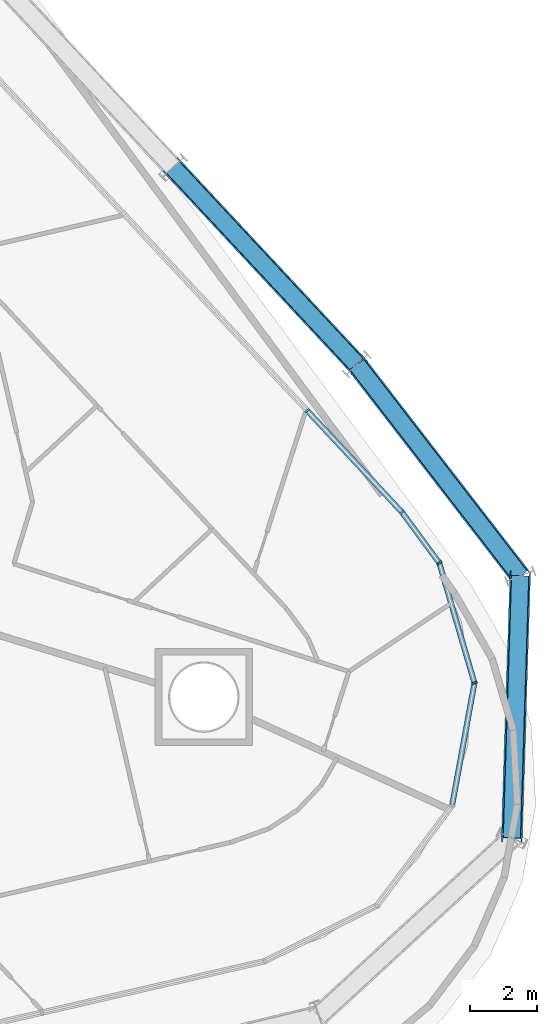
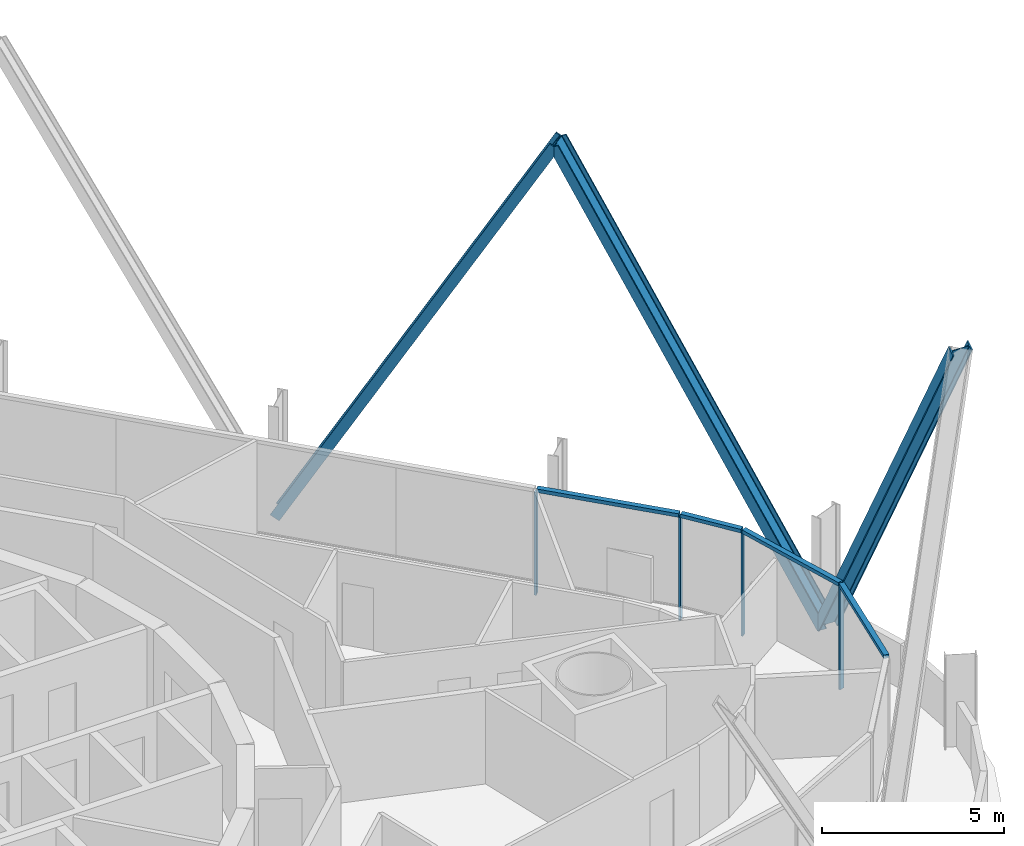
# One storey, part 7 of 18: 11 members, 2 elements without a shape of their own.
"""IFC4 building model written with IfcOpenShell, lengths in metres."""

import ifcopenshell
import ifcopenshell.guid

model = None  # the IFC model being written
_history = None  # IfcOwnerHistory: only IFC2X3 demands one
_inside = {}  # id of a spatial element -> (the spatial element, [elements in it])
_under = {}  # id of a project, library or spatial element -> (it, [spatial elements below it])
_declared = {}  # id of a project -> (the project, [libraries it declares])
_typed = {}  # id of a type object -> (the type object, [elements of that type])
_made_of = {}  # id of a material, layer set ... -> (it, [elements and type objects made of it])


def new_model(schema):
    """Start an empty IFC model of exactly this schema.

    Asked for "IFC4X3", IfcOpenShell would pick the latest addendum, in which some entities
    have other attributes; the version numbers below select the first issue.
    IFC2X3 requires an IfcOwnerHistory on every rooted entity: one is made here for all.
    """
    global model, _history
    if schema == "IFC4X3":
        model = ifcopenshell.file(schema_version=(4, 3, 0, 0))
    else:
        model = ifcopenshell.file(schema=schema)
    _inside.clear()
    _under.clear()
    _declared.clear()
    _typed.clear()
    _made_of.clear()
    _history = None
    if model.schema == "IFC2X3":
        org = make("IfcOrganization", Name="unknown")
        user = make(
            "IfcPersonAndOrganization",
            ThePerson=make("IfcPerson", FamilyName="unknown"),
            TheOrganization=org,
        )
        app = make(
            "IfcApplication",
            ApplicationDeveloper=org,
            Version="unknown",
            ApplicationFullName="unknown",
            ApplicationIdentifier="unknown",
        )
        _history = make(
            "IfcOwnerHistory",
            OwningUser=user,
            OwningApplication=app,
            ChangeAction="ADDED",
            CreationDate=0,
        )
    return model


def make(cls, **values):
    """One entity of the class cls with the attributes given. An attribute that is None is left unset."""
    return model.create_entity(
        cls, **{name: value for name, value in values.items() if value is not None}
    )


def rooted(cls, **values):
    """An entity with a GlobalId (a new one), such as an element, a storey or a relation."""
    return make(cls, GlobalId=ifcopenshell.guid.new(), OwnerHistory=_history, **values)


def si_unit(unit_type, name, prefix=None):
    """IfcSIUnit, for example si_unit("LENGTHUNIT", "METRE", prefix="MILLI")."""
    return make("IfcSIUnit", UnitType=unit_type, Prefix=prefix, Name=name)


def assignment(units):
    """IfcUnitAssignment: the units of a project."""
    return None if units is None else make("IfcUnitAssignment", Units=units)


def point(xyz):
    """IfcCartesianPoint."""
    return None if xyz is None else make("IfcCartesianPoint", Coordinates=xyz)


def direction(xyz):
    """IfcDirection."""
    return None if xyz is None else make("IfcDirection", DirectionRatios=xyz)


def frame(location, z_axis=None, x_axis=None):
    """IfcAxis2Placement3D, a coordinate frame: its origin and axes. An axis left out is left unset."""
    return make(
        "IfcAxis2Placement3D",
        Location=point(location),
        Axis=direction(z_axis),
        RefDirection=direction(x_axis),
    )


def frame_2d(location, x_axis=None):
    """IfcAxis2Placement2D, a coordinate frame in the plane: its origin and x axis."""
    return make(
        "IfcAxis2Placement2D", Location=point(location), RefDirection=direction(x_axis)
    )


def origin():
    """The frame at (0, 0, 0) with its axes left unset."""
    return frame((0.0, 0.0, 0.0))


def origin_2d():
    """The frame at (0, 0) in the plane with its x axis left unset."""
    return frame_2d((0.0, 0.0))


def place(relative_to, where):
    """IfcLocalPlacement: puts the frame where relative to a parent placement (None: the world)."""
    return make(
        "IfcLocalPlacement", PlacementRelTo=relative_to, RelativePlacement=where
    )


def context(
    kind, dimensions, precision=None, world=None, true_north=None, identifier=None
):
    """IfcGeometricRepresentationContext, for example the 3D "Model" context."""
    return make(
        "IfcGeometricRepresentationContext",
        ContextIdentifier=identifier,
        ContextType=kind,
        CoordinateSpaceDimension=dimensions,
        Precision=precision,
        WorldCoordinateSystem=world,
        TrueNorth=true_north,
    )


def subcontext(parent, identifier, kind, view, scale=None):
    """IfcGeometricRepresentationSubContext, for example "Body" below "Model"."""
    return make(
        "IfcGeometricRepresentationSubContext",
        ContextIdentifier=identifier,
        ContextType=kind,
        ParentContext=parent,
        TargetScale=scale,
        TargetView=view,
    )


def project(units=None, contexts=None):
    """IfcProject with its units and contexts."""
    return rooted(
        "IfcProject",
        Name="project",
        RepresentationContexts=contexts,
        UnitsInContext=assignment(units),
    )


def spatial(cls, under=None, at=None, **own):
    """A site, building, storey or space (cls), placed at a placement, below another one or the project."""
    s = rooted(cls, ObjectPlacement=at, **own)
    if under is not None:
        _under.setdefault(under.id(), (under, []))[1].append(s)
    return s


def profile(cls, at=None, kind="AREA", **sizes):
    """A parametric profile (cls). Its sizes go by their IFC names, for example OverallWidth=200.0."""
    return make(cls, ProfileType=kind, Position=at, **sizes)


def rectangle(**sizes):
    """IfcRectangleProfileDef."""
    return profile("IfcRectangleProfileDef", **sizes)


def i_section(**sizes):
    """IfcIShapeProfileDef."""
    return profile("IfcIShapeProfileDef", **sizes)


def extrude(swept, where, along, depth):
    """IfcExtrudedAreaSolid: the profile swept, set in the frame where, extruded along a direction by depth."""
    return make(
        "IfcExtrudedAreaSolid",
        SweptArea=swept,
        Position=where,
        ExtrudedDirection=direction(along),
        Depth=depth,
    )


def shape(context_of_items, identifier, shape_type, items):
    """IfcShapeRepresentation: the items that make up one representation, for example the "Body"."""
    return make(
        "IfcShapeRepresentation",
        ContextOfItems=context_of_items,
        RepresentationIdentifier=identifier,
        RepresentationType=shape_type,
        Items=items,
    )


def material(Name=None, Category=None):
    """IfcMaterial."""
    return make("IfcMaterial", Name=Name, Category=Category)


def layer(
    of_material, thickness, ventilated=None, Name=None, Category=None, Priority=None
):
    """IfcMaterialLayer: one layer of a wall or slab, of a material (None: an air gap)."""
    return make(
        "IfcMaterialLayer",
        Material=of_material,
        LayerThickness=thickness,
        IsVentilated=ventilated,
        Name=Name,
        Category=Category,
        Priority=Priority,
    )


def layer_set(layers, Name=None):
    """IfcMaterialLayerSet."""
    return make("IfcMaterialLayerSet", MaterialLayers=layers, LayerSetName=Name)


def material_profile(
    of_material, cross_section, Name=None, Category=None, Priority=None
):
    """IfcMaterialProfile: a cross section and its material."""
    return make(
        "IfcMaterialProfile",
        Name=Name,
        Material=of_material,
        Profile=cross_section,
        Priority=Priority,
        Category=Category,
    )


def profile_set(profiles, Name=None, composite=None):
    """IfcMaterialProfileSet."""
    return make(
        "IfcMaterialProfileSet",
        Name=Name,
        MaterialProfiles=profiles,
        CompositeProfile=composite,
    )


def made_of(thing, what):
    """Note that an element or type object is made of a material, layer set ...; save() writes the relation."""
    if what is not None:
        _made_of.setdefault(what.id(), (what, []))[1].append(thing)
    return thing


def type_object(cls, material=None, **own):
    """A type object (cls), such as IfcWallType, which elements share."""
    return made_of(rooted(cls, **own), material)


def element(
    cls,
    number,
    at=None,
    inside=None,
    cuts=None,
    type_object=None,
    material=None,
    context=None,
    identifier="Body",
    shape_type=None,
    held_by="IfcProductDefinitionShape",
    body=None,
    shapes=None,
    **own,
):
    """One element of the class cls, such as IfcWall. Its Tag is "e" and its number.

    at: its placement. inside: the storey or other place that contains it. cuts: it is an
    opening in that element (IfcRelVoidsElement). A single representation is given by context,
    identifier, shape_type and body (its items); several are given by shapes. held_by: the class
    of the entity that holds the representations. save() writes the other relations.
    """
    e = rooted(cls, Tag="e%d" % number, ObjectPlacement=at, **own)
    if body is not None:
        shapes = [shape(context, identifier, shape_type, body)]
    if shapes is not None:
        e.Representation = make(held_by, Representations=shapes)
    if inside is not None:
        _inside.setdefault(inside.id(), (inside, []))[1].append(e)
    if cuts is not None:
        rooted(
            "IfcRelVoidsElement", RelatingBuildingElement=cuts, RelatedOpeningElement=e
        )
    if type_object is not None:
        _typed.setdefault(type_object.id(), (type_object, []))[1].append(e)
    return made_of(e, material)


def aggregate(whole, parts):
    """IfcRelAggregates: a whole, such as a stair, and the parts it consists of."""
    return rooted("IfcRelAggregates", RelatingObject=whole, RelatedObjects=parts)


def save(model, path):
    """Write the relations noted so far, then the file.

    IfcRelAggregates (storeys below a building ...), IfcRelContainedInSpatialStructure (elements
    in a storey), IfcRelDefinesByType, IfcRelAssociatesMaterial and IfcRelDeclares: one each for
    every whole, place, type object, material and project.
    """
    for whole, parts in _under.values():
        aggregate(whole, parts)
    for where, things in _inside.values():
        rooted(
            "IfcRelContainedInSpatialStructure",
            RelatedElements=things,
            RelatingStructure=where,
        )
    for kind, things in _typed.values():
        rooted("IfcRelDefinesByType", RelatedObjects=things, RelatingType=kind)
    for what, things in _made_of.values():
        rooted("IfcRelAssociatesMaterial", RelatedObjects=things, RelatingMaterial=what)
    for by, libraries in _declared.values():
        rooted("IfcRelDeclares", RelatingContext=by, RelatedDefinitions=libraries)
    model.write(path)


model = new_model("IFC4")

# Units and contexts
model_context = context("Model", 3, precision=1e-05, world=origin(), true_north=direction((0.0, 1.0)))
body_context = subcontext(model_context, "Body", "Model", "MODEL_VIEW")
ifc_project = project(units=[si_unit("LENGTHUNIT", "METRE"), si_unit("AREAUNIT", "SQUARE_METRE"), si_unit("VOLUMEUNIT", "CUBIC_METRE"), si_unit("PLANEANGLEUNIT", "RADIAN"), si_unit("MASSUNIT", "GRAM", prefix="KILO")], contexts=[model_context])

# Site, building, storey
site_placement = place(None, origin())
site = spatial("IfcSite", under=ifc_project, at=site_placement, CompositionType="ELEMENT")
building_placement = place(site_placement, origin())
building = spatial("IfcBuilding", under=site, at=building_placement, Name="Spindle Arch Residences", CompositionType="ELEMENT")
storey_placement = place(building_placement, frame((0.0, 0.0, 113.39990234375)))
storey = spatial("IfcBuildingStorey", under=building, at=storey_placement, Name="L27", CompositionType="ELEMENT", Elevation=113.39990234375)

# Curtain wall, members
ifc_material_1 = material(Name="Aluminium bronze unitised frame with tinted glass", Category="aluminium")
ifc_layer_1 = layer(ifc_material_1, 0.159912109375)
ifc_layer_set_1 = layer_set([ifc_layer_1], Name="CW-D corner wall on the fillet arcs")
curtain_wall_type_1 = type_object("IfcCurtainWallType", Name="CW-D corner wall on the fillet arcs", PredefinedType="NOTDEFINED", material=ifc_layer_set_1)
curtain_wall_1_placement = place(storey_placement, origin())
curtain_wall_1 = element("IfcCurtainWall", 1, at=curtain_wall_1_placement, inside=storey, type_object=curtain_wall_type_1, Name="CW-D L27 run 1", PredefinedType="NOTDEFINED")
ifc_material_2 = material(Name="Aluminium bronze anodised mullion", Category="aluminium")
ifc_material_profile_1 = material_profile(ifc_material_2, rectangle(XDim=0.159912109375, YDim=0.06005859375, at=origin_2d()), Name="MU 60x160")
ifc_profile_set_1 = profile_set([ifc_material_profile_1], Name="Aluminium bronze anodised mullion")
member_type_1 = type_object("IfcMemberType", Name="Bronze mullion 60x160", PredefinedType="MULLION", material=ifc_profile_set_1)
member_1_placement = place(storey_placement, frame((28.89892578125, -5.945556640625, -0.449951171875), z_axis=(0.0, 0.0, 1.0), x_axis=(-0.959641844554, -0.281225052549, 0.0)))
member_1 = element("IfcMember", 2, at=member_1_placement, type_object=member_type_1, Name="CW-D mullion 04", PredefinedType="MULLION", context=body_context, shape_type="SweptSolid", body=[
    extrude(rectangle(XDim=0.159912109375, YDim=0.06005859375, at=origin_2d()), origin(), (0.0, 0.0, 1.0), 3.449951171875),
])
member_2_placement = place(storey_placement, frame((27.850830078125, -2.369140625, -0.449951171875), z_axis=(0.0, 0.0, 1.0), x_axis=(-0.805583724819, -0.592481951039, 0.0)))
member_2 = element("IfcMember", 3, at=member_2_placement, type_object=member_type_1, Name="CW-D mullion 05", PredefinedType="MULLION", context=body_context, shape_type="SweptSolid", body=[
    extrude(rectangle(XDim=0.159912109375, YDim=0.06005859375, at=origin_2d()), origin(), (0.0, 0.0, 1.0), 3.449951171875),
])
member_3_placement = place(storey_placement, frame((26.7392578125, -0.85791015625, -0.449951171875), z_axis=(0.0, 0.0, 1.0), x_axis=(-0.731353701619, -0.681998360062, 0.0)))
member_3 = element("IfcMember", 4, at=member_3_placement, type_object=member_type_1, Name="CW-D mullion 06", PredefinedType="MULLION", context=body_context, shape_type="SweptSolid", body=[
    extrude(rectangle(XDim=0.159912109375, YDim=0.06005859375, at=origin_2d()), origin(), (0.0, 0.0, 1.0), 3.449951171875),
])

# Curtain wall, member
ifc_material_3 = material(Name="Aluminium bronze unitised frame with tinted glass", Category="aluminium")
ifc_layer_2 = layer(ifc_material_3, 0.159912109375)
ifc_layer_set_2 = layer_set([ifc_layer_2], Name="CW-C typical residential unitised wall")
curtain_wall_type_2 = type_object("IfcCurtainWallType", Name="CW-C typical residential unitised wall", PredefinedType="NOTDEFINED", material=ifc_layer_set_2)
curtain_wall_2_placement = place(storey_placement, origin())
curtain_wall_2 = element("IfcCurtainWall", 5, at=curtain_wall_2_placement, inside=storey, type_object=curtain_wall_type_2, Name="CW-C L27 run 2", PredefinedType="NOTDEFINED")
member_4_placement = place(storey_placement, frame((23.91357421875, 2.172607421875, -0.449951171875), z_axis=(0.0, 0.0, 1.0), x_axis=(-0.731353701619, -0.681998360062, 0.0)))
member_4 = element("IfcMember", 6, at=member_4_placement, type_object=member_type_1, Name="CW-C mullion 05", PredefinedType="MULLION", context=body_context, shape_type="SweptSolid", body=[
    extrude(rectangle(XDim=0.159912109375, YDim=0.06005859375, at=origin_2d()), origin(), (0.0, 0.0, 1.0), 3.449951171875),
])
aggregate(curtain_wall_2, [member_4])

# Member
ifc_material_4 = material(Name="Aluminium bronze anodised transom", Category="aluminium")
ifc_material_profile_2 = material_profile(ifc_material_4, rectangle(XDim=0.159912109375, YDim=0.1201171875, at=origin_2d()), Name="TR 120x160")
ifc_profile_set_2 = profile_set([ifc_material_profile_2], Name="Aluminium bronze anodised transom")
member_type_2 = type_object("IfcMemberType", Name="Bronze transom 120x160", PredefinedType="USERDEFINED", material=ifc_profile_set_2)
member_5_placement = place(storey_placement, frame((28.23583984375, -9.582275390625, 3.06005859375), z_axis=(0.179377605594, 0.983780297938, 0.0), x_axis=(-0.983780297938, 0.179377605594, 0.0)))
member_5 = element("IfcMember", 7, at=member_5_placement, type_object=member_type_2, Name="CW-D transom 03", ObjectType="TRANSOM", PredefinedType="USERDEFINED", context=body_context, shape_type="SweptSolid", body=[
    extrude(rectangle(XDim=0.159912109375, YDim=0.1201171875, at=origin_2d()), origin(), (0.0, 0.0, 1.0), 3.666748046875),
])

member_6_placement = place(storey_placement, frame((28.890625, -5.916748046875, 3.06005859375), z_axis=(-0.281239778168, 0.959637529058, 0.0), x_axis=(-0.959637529058, -0.281239778168, 0.0)))
member_6 = element("IfcMember", 8, at=member_6_placement, type_object=member_type_2, Name="CW-D transom 04", ObjectType="TRANSOM", PredefinedType="USERDEFINED", context=body_context, shape_type="SweptSolid", body=[
    extrude(rectangle(XDim=0.159912109375, YDim=0.1201171875, at=origin_2d()), origin(), (0.0, 0.0, 1.0), 3.666748046875),
])

member_7_placement = place(storey_placement, frame((27.833251953125, -2.344970703125, 3.06005859375), z_axis=(-0.592575212526, 0.805515125557, 0.0), x_axis=(-0.805515125557, -0.592575212526, 0.0)))
member_7 = element("IfcMember", 9, at=member_7_placement, type_object=member_type_2, Name="CW-D transom 05", ObjectType="TRANSOM", PredefinedType="USERDEFINED", context=body_context, shape_type="SweptSolid", body=[
    extrude(rectangle(XDim=0.159912109375, YDim=0.1201171875, at=origin_2d()), origin(), (0.0, 0.0, 1.0), 1.816162109375),
])

member_8_placement = place(storey_placement, frame((26.718994140625, -0.8359375, 3.06005859375), z_axis=(-0.681983744213, 0.731367330846, 0.0), x_axis=(-0.731367330846, -0.681983744213, 0.0)))
member_8 = element("IfcMember", 10, at=member_8_placement, type_object=member_type_2, Name="CW-D transom 06", ObjectType="TRANSOM", PredefinedType="USERDEFINED", context=body_context, shape_type="SweptSolid", body=[
    extrude(rectangle(XDim=0.159912109375, YDim=0.1201171875, at=origin_2d()), origin(), (0.0, 0.0, 1.0), 4.08349609375),
])

aggregate(curtain_wall_1, [member_5, member_1, member_6, member_2, member_7, member_3, member_8])

# Members
ifc_material_5 = material(Name="Steel S460ML, intumescent coating R 240", Category="steel")
ifc_material_profile_3 = material_profile(ifc_material_5, i_section(OverallWidth=0.304931640625, OverallDepth=0.6201171875, WebThickness=0.02099609375, FlangeThickness=0.0400390625, FilletRadius=0.027099609375, at=origin_2d()), Name="HEM 600")
ifc_profile_set_3 = profile_set([ifc_material_profile_3], Name="Steel S460ML, intumescent coating R 240")
member_type_3 = type_object("IfcMemberType", Name="Diagrid diagonal HEM 600", PredefinedType="BRACE", material=ifc_profile_set_3)
member_9_placement = place(storey_placement, frame((30.261962890625, -2.756103515625, -0.699951171875), z_axis=(-0.015409745429, -0.485513150519, 0.874093542144), x_axis=(0.027728970182, 0.873653606775, 0.48575763461)))
element("IfcMember", 11, at=member_9_placement, inside=storey, type_object=member_type_3, Name="Diagrid diagonal 3.1.4", PredefinedType="BRACE", context=body_context, shape_type="SweptSolid", body=[
    extrude(i_section(OverallWidth=0.304931640625, OverallDepth=0.6201171875, WebThickness=0.02099609375, FlangeThickness=0.0400390625, FilletRadius=0.027099609375, at=origin_2d()), origin(), (0.0, 0.0, 1.0), 16.0966796875),
])
member_10_placement = place(storey_placement, frame((30.261962890625, -2.756103515625, -0.699951171875), z_axis=(-0.301246668283, 0.389996062638, 0.870145686638), x_axis=(0.53192244242, -0.6886305477, 0.492794565742)))
element("IfcMember", 12, at=member_10_placement, inside=storey, type_object=member_type_3, Name="Diagrid diagonal 3.1.5", PredefinedType="BRACE", context=body_context, shape_type="SweptSolid", body=[
    extrude(i_section(OverallWidth=0.304931640625, OverallDepth=0.6201171875, WebThickness=0.02099609375, FlangeThickness=0.0400390625, FilletRadius=0.027099609375, at=origin_2d()), origin(), (0.0, 0.0, 1.0), 16.169677734375),
])
member_11_placement = place(storey_placement, frame((19.9150390625, 9.42236328125, -0.699951171875), z_axis=(0.338017025795, -0.362491574366, 0.868529993027), x_axis=(-0.592324937088, 0.635212970341, 0.495636612059)))
element("IfcMember", 13, at=member_11_placement, inside=storey, type_object=member_type_3, Name="Diagrid diagonal 3.1.6", PredefinedType="BRACE", context=body_context, shape_type="SweptSolid", body=[
    extrude(i_section(OverallWidth=0.304931640625, OverallDepth=0.6201171875, WebThickness=0.02099609375, FlangeThickness=0.0400390625, FilletRadius=0.027099609375, at=origin_2d()), origin(), (0.0, 0.0, 1.0), 16.199951171875),
])

save(model, "model.ifc")
